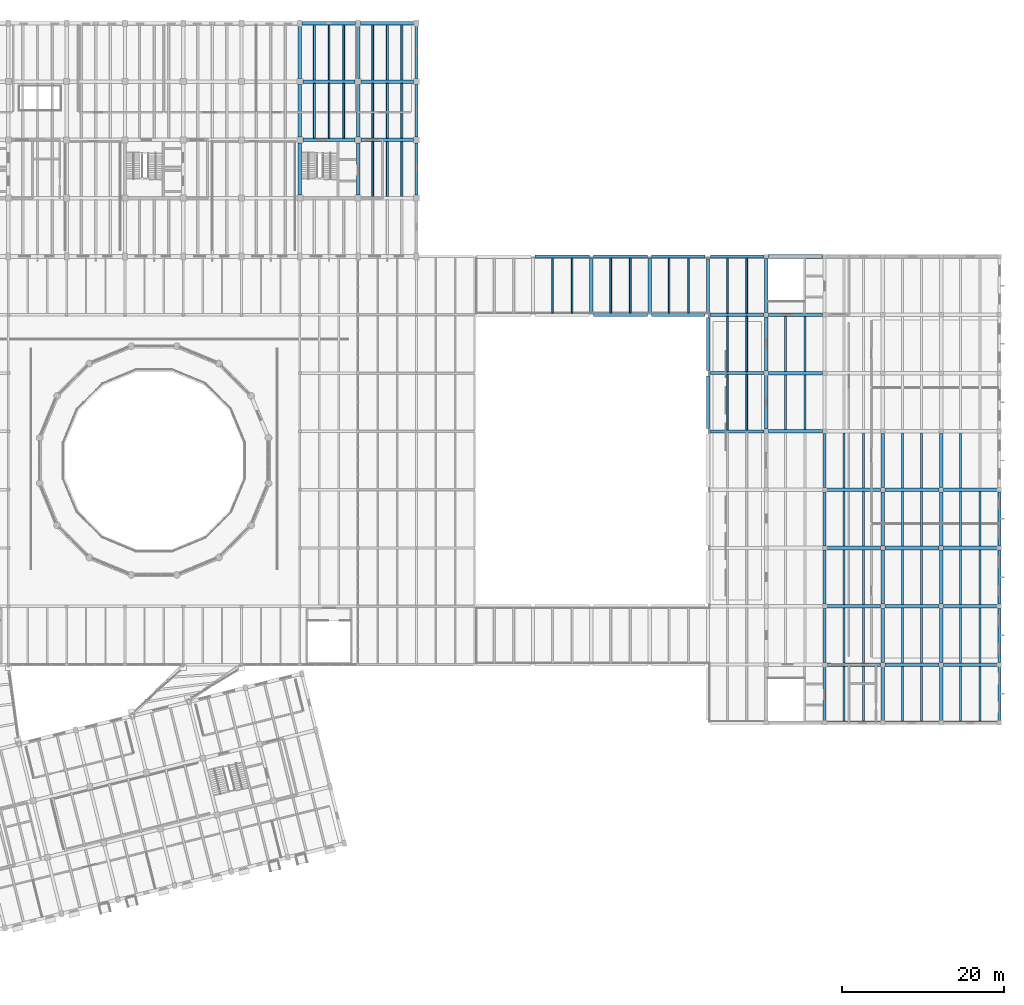
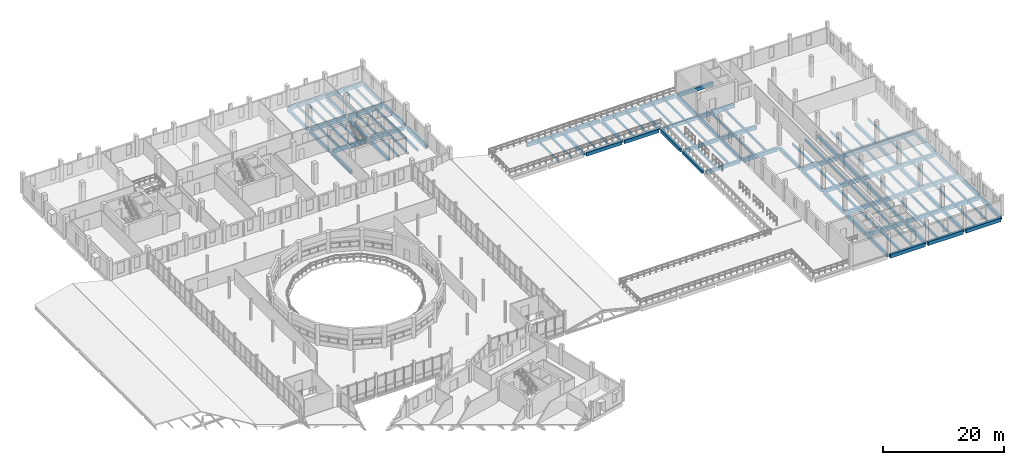
# One storey, part 36 of 63: 130 beams.
"""IFC4 building model written with IfcOpenShell, lengths in metres."""

from ifc_helpers import new_model, si_unit, direction, frame, origin, origin_2d, place, context, subcontext, project, spatial, rectangle, extrude, material, material_profile, profile_set, type_object, element, save


model = new_model("IFC4")

# Units and contexts
model_context = context("Model", 3, precision=1e-05, world=origin(), true_north=direction((0.0, 1.0)))
body_context = subcontext(model_context, "Body", "Model", "MODEL_VIEW")
ifc_project = project(units=[si_unit("LENGTHUNIT", "METRE"), si_unit("AREAUNIT", "SQUARE_METRE"), si_unit("VOLUMEUNIT", "CUBIC_METRE"), si_unit("PLANEANGLEUNIT", "RADIAN"), si_unit("MASSUNIT", "GRAM", prefix="KILO")], contexts=[model_context])

# Site, building, storey
site_placement = place(None, origin())
site = spatial("IfcSite", under=ifc_project, at=site_placement, CompositionType="ELEMENT")
building_placement = place(site_placement, origin())
building = spatial("IfcBuilding", under=site, at=building_placement, Name="Qiaolan Assembly House", CompositionType="ELEMENT")
storey_placement = place(building_placement, frame((0.0, 0.0, 14.39990234375)))
storey = spatial("IfcBuildingStorey", under=building, at=storey_placement, Name="L03", CompositionType="ELEMENT", Elevation=14.39990234375)

# Beams
ifc_material = material(Name="Concrete C40/50", Category="concrete")
ifc_material_profile_1 = material_profile(ifc_material, rectangle(XDim=0.39990234375, YDim=0.64990234375, at=origin_2d()), Name="RCB 400x650")
ifc_profile_set_1 = profile_set([ifc_material_profile_1], Name="Concrete C40/50")
beam_type_1 = type_object("IfcBeamType", Name="BM-RC-400x650", PredefinedType="BEAM", material=ifc_profile_set_1)
for number, where, z_axis, x_axis, name in (
    (1, (136.800048828125, 65.139892578125, -0.635009765625), (0.0, 1.0, 0.0), (-1.0, 0.0, 0.0), "GB-06 beam BMY-LBRG-L03-00-05"),
    (2, (136.800048828125, 72.340087890625, -0.635009765625), (0.0, 1.0, 0.0), (-1.0, 0.0, 0.0), "GB-06 beam BMY-LBRG-L03-00-06"),
    (3, (136.800048828125, 79.5400390625, -0.635009765625), (0.0, 1.0, 0.0), (-1.0, 0.0, 0.0), "GB-06 beam BMY-LBRG-L03-00-07"),
):
    element("IfcBeam", number, at=place(storey_placement, frame(where, z_axis=z_axis, x_axis=x_axis)), inside=storey, type_object=beam_type_1, Name=name, PredefinedType="BEAM", context=body_context, shape_type="SweptSolid", body=[
        extrude(rectangle(XDim=0.39990234375, YDim=0.64990234375, at=origin_2d()), origin(), (0.0, 0.0, 1.0), 6.52001953125),
    ])
for number, where, z_axis, x_axis, name in (
    (4, (122.39990234375, 79.449951171875, -0.635009765625), (0.0, 1.0, 0.0), (-1.0, 0.0, 0.0), "GB-06 beam BMY-CLNR-L03-02-00"),
    (5, (129.60009765625, 79.449951171875, -0.635009765625), (0.0, 1.0, 0.0), (-1.0, 0.0, 0.0), "GB-06 beam BMY-CLNR-L03-03-00"),
):
    element("IfcBeam", number, at=place(storey_placement, frame(where, z_axis=z_axis, x_axis=x_axis)), inside=storey, type_object=beam_type_1, Name=name, PredefinedType="BEAM", context=body_context, shape_type="SweptSolid", body=[
        extrude(rectangle(XDim=0.39990234375, YDim=0.64990234375, at=origin_2d()), origin(), (0.0, 0.0, 1.0), 6.699951171875),
    ])
ifc_material_profile_2 = material_profile(ifc_material, rectangle(XDim=0.39990234375, YDim=0.699951171875, at=origin_2d()), Name="RCB 400x700")
ifc_profile_set_2 = profile_set([ifc_material_profile_2], Name="Concrete C40/50")
beam_type_2 = type_object("IfcBeamType", Name="BM-RC-400x700", PredefinedType="BEAM", material=ifc_profile_set_2)
for number, where, z_axis, x_axis, name in (
    (6, (86.39990234375, 93.965087890625, -0.579833984375), (0.0, 1.0, 0.0), (-1.0, 0.0, 0.0), "GB-05 beam BMY-NW-L03-07-01"),
    (7, (86.39990234375, 101.1650390625, -0.579833984375), (0.0, 1.0, 0.0), (-1.0, 0.0, 0.0), "GB-05 beam BMY-NW-L03-07-02"),
):
    element("IfcBeam", number, at=place(storey_placement, frame(where, z_axis=z_axis, x_axis=x_axis)), inside=storey, type_object=beam_type_2, Name=name, PredefinedType="BEAM", context=body_context, shape_type="SweptSolid", body=[
        extrude(rectangle(XDim=0.39990234375, YDim=0.699951171875, at=origin_2d()), origin(), (0.0, 0.0, 1.0), 6.469970703125),
    ])
beam_1_placement = place(storey_placement, frame((86.39990234375, 108.364990234375, -0.579833984375), z_axis=(0.0, 1.0, 0.0), x_axis=(-1.0, 0.0, 0.0)))
element("IfcBeam", 8, at=beam_1_placement, inside=storey, type_object=beam_type_2, Name="GB-05 beam BMY-NW-L03-07-03", PredefinedType="BEAM", context=body_context, shape_type="SweptSolid", body=[
    extrude(rectangle(XDim=0.39990234375, YDim=0.699951171875, at=origin_2d()), origin(), (0.0, 0.0, 1.0), 6.570068359375),
])
for number, where, z_axis, x_axis, name in (
    (9, (93.60009765625, 93.965087890625, -0.579833984375), (0.0, 1.0, 0.0), (-1.0, 0.0, 0.0), "GB-05 beam BMY-NW-L03-08-01"),
    (10, (93.60009765625, 101.1650390625, -0.579833984375), (0.0, 1.0, 0.0), (-1.0, 0.0, 0.0), "GB-05 beam BMY-NW-L03-08-02"),
):
    element("IfcBeam", number, at=place(storey_placement, frame(where, z_axis=z_axis, x_axis=x_axis)), inside=storey, type_object=beam_type_2, Name=name, PredefinedType="BEAM", context=body_context, shape_type="SweptSolid", body=[
        extrude(rectangle(XDim=0.39990234375, YDim=0.699951171875, at=origin_2d()), origin(), (0.0, 0.0, 1.0), 6.469970703125),
    ])
beam_2_placement = place(storey_placement, frame((93.60009765625, 108.364990234375, -0.579833984375), z_axis=(0.0, 1.0, 0.0), x_axis=(-1.0, 0.0, 0.0)))
element("IfcBeam", 11, at=beam_2_placement, inside=storey, type_object=beam_type_2, Name="GB-05 beam BMY-NW-L03-08-03", PredefinedType="BEAM", context=body_context, shape_type="SweptSolid", body=[
    extrude(rectangle(XDim=0.39990234375, YDim=0.699951171875, at=origin_2d()), origin(), (0.0, 0.0, 1.0), 6.570068359375),
])
for number, where, z_axis, x_axis, name in (
    (12, (100.800048828125, 93.965087890625, -0.579833984375), (0.0, 1.0, 0.0), (-1.0, 0.0, 0.0), "GB-05 beam BMY-NW-L03-09-01"),
    (13, (100.800048828125, 101.1650390625, -0.579833984375), (0.0, 1.0, 0.0), (-1.0, 0.0, 0.0), "GB-05 beam BMY-NW-L03-09-02"),
):
    element("IfcBeam", number, at=place(storey_placement, frame(where, z_axis=z_axis, x_axis=x_axis)), inside=storey, type_object=beam_type_2, Name=name, PredefinedType="BEAM", context=body_context, shape_type="SweptSolid", body=[
        extrude(rectangle(XDim=0.39990234375, YDim=0.699951171875, at=origin_2d()), origin(), (0.0, 0.0, 1.0), 6.469970703125),
    ])
beam_3_placement = place(storey_placement, frame((100.800048828125, 108.364990234375, -0.579833984375), z_axis=(0.0, 1.0, 0.0), x_axis=(-1.0, 0.0, 0.0)))
element("IfcBeam", 14, at=beam_3_placement, inside=storey, type_object=beam_type_2, Name="GB-05 beam BMY-NW-L03-09-03", PredefinedType="BEAM", context=body_context, shape_type="SweptSolid", body=[
    extrude(rectangle(XDim=0.39990234375, YDim=0.699951171875, at=origin_2d()), origin(), (0.0, 0.0, 1.0), 6.570068359375),
])
for number, where, z_axis, x_axis, name in (
    (15, (144.0, 65.06494140625, -0.659912109375), (0.0, 1.0, 0.0), (-1.0, 0.0, 0.0), "GB-05 beam BMY-LB-L03-00-05"),
    (16, (144.0, 72.264892578125, -0.659912109375), (0.0, 1.0, 0.0), (-1.0, 0.0, 0.0), "GB-05 beam BMY-LB-L03-00-06"),
):
    element("IfcBeam", number, at=place(storey_placement, frame(where, z_axis=z_axis, x_axis=x_axis)), inside=storey, type_object=beam_type_2, Name=name, PredefinedType="BEAM", context=body_context, shape_type="SweptSolid", body=[
        extrude(rectangle(XDim=0.39990234375, YDim=0.699951171875, at=origin_2d()), origin(), (0.0, 0.0, 1.0), 6.670166015625),
    ])
beam_4_placement = place(storey_placement, frame((144.0, 79.465087890625, -0.659912109375), z_axis=(0.0, 1.0, 0.0), x_axis=(-1.0, 0.0, 0.0)))
element("IfcBeam", 17, at=beam_4_placement, inside=storey, type_object=beam_type_2, Name="GB-05 beam BMY-LB-L03-00-07", PredefinedType="BEAM", context=body_context, shape_type="SweptSolid", body=[
    extrude(rectangle(XDim=0.39990234375, YDim=0.699951171875, at=origin_2d()), origin(), (0.0, 0.0, 1.0), 6.669921875),
])
for number, where, z_axis, x_axis, name in (
    (18, (151.199951171875, 29.06494140625, -0.659912109375), (0.0, 1.0, 0.0), (-1.0, 0.0, 0.0), "GB-05 beam BMY-LB-L03-01-00"),
    (19, (151.199951171875, 36.264892578125, -0.659912109375), (0.0, 1.0, 0.0), (-1.0, 0.0, 0.0), "GB-05 beam BMY-LB-L03-01-01"),
):
    element("IfcBeam", number, at=place(storey_placement, frame(where, z_axis=z_axis, x_axis=x_axis)), inside=storey, type_object=beam_type_2, Name=name, PredefinedType="BEAM", context=body_context, shape_type="SweptSolid", body=[
        extrude(rectangle(XDim=0.39990234375, YDim=0.699951171875, at=origin_2d()), origin(), (0.0, 0.0, 1.0), 6.670166015625),
    ])
for number, where, z_axis, x_axis, name in (
    (20, (151.199951171875, 43.465087890625, -0.659912109375), (0.0, 1.0, 0.0), (-1.0, 0.0, 0.0), "GB-05 beam BMY-LB-L03-01-02"),
    (21, (151.199951171875, 50.6650390625, -0.659912109375), (0.0, 1.0, 0.0), (-1.0, 0.0, 0.0), "GB-05 beam BMY-LB-L03-01-03"),
    (22, (151.199951171875, 57.864990234375, -0.659912109375), (0.0, 1.0, 0.0), (-1.0, 0.0, 0.0), "GB-05 beam BMY-LB-L03-01-04"),
):
    element("IfcBeam", number, at=place(storey_placement, frame(where, z_axis=z_axis, x_axis=x_axis)), inside=storey, type_object=beam_type_2, Name=name, PredefinedType="BEAM", context=body_context, shape_type="SweptSolid", body=[
        extrude(rectangle(XDim=0.39990234375, YDim=0.699951171875, at=origin_2d()), origin(), (0.0, 0.0, 1.0), 6.669921875),
    ])
for number, where, z_axis, x_axis, name in (
    (23, (158.39990234375, 29.06494140625, -0.659912109375), (0.0, 1.0, 0.0), (-1.0, 0.0, 0.0), "GB-05 beam BMY-LB-L03-02-00"),
    (24, (158.39990234375, 36.264892578125, -0.659912109375), (0.0, 1.0, 0.0), (-1.0, 0.0, 0.0), "GB-05 beam BMY-LB-L03-02-01"),
):
    element("IfcBeam", number, at=place(storey_placement, frame(where, z_axis=z_axis, x_axis=x_axis)), inside=storey, type_object=beam_type_2, Name=name, PredefinedType="BEAM", context=body_context, shape_type="SweptSolid", body=[
        extrude(rectangle(XDim=0.39990234375, YDim=0.699951171875, at=origin_2d()), origin(), (0.0, 0.0, 1.0), 6.670166015625),
    ])
for number, where, z_axis, x_axis, name in (
    (25, (158.39990234375, 43.465087890625, -0.659912109375), (0.0, 1.0, 0.0), (-1.0, 0.0, 0.0), "GB-05 beam BMY-LB-L03-02-02"),
    (26, (158.39990234375, 50.6650390625, -0.659912109375), (0.0, 1.0, 0.0), (-1.0, 0.0, 0.0), "GB-05 beam BMY-LB-L03-02-03"),
    (27, (158.39990234375, 57.864990234375, -0.659912109375), (0.0, 1.0, 0.0), (-1.0, 0.0, 0.0), "GB-05 beam BMY-LB-L03-02-04"),
):
    element("IfcBeam", number, at=place(storey_placement, frame(where, z_axis=z_axis, x_axis=x_axis)), inside=storey, type_object=beam_type_2, Name=name, PredefinedType="BEAM", context=body_context, shape_type="SweptSolid", body=[
        extrude(rectangle(XDim=0.39990234375, YDim=0.699951171875, at=origin_2d()), origin(), (0.0, 0.0, 1.0), 6.669921875),
    ])
for number, where, z_axis, x_axis, name in (
    (28, (165.60009765625, 29.06494140625, -0.659912109375), (0.0, 1.0, 0.0), (-1.0, 0.0, 0.0), "GB-05 beam BMY-LB-L03-03-00"),
    (29, (165.60009765625, 36.264892578125, -0.659912109375), (0.0, 1.0, 0.0), (-1.0, 0.0, 0.0), "GB-05 beam BMY-LB-L03-03-01"),
):
    element("IfcBeam", number, at=place(storey_placement, frame(where, z_axis=z_axis, x_axis=x_axis)), inside=storey, type_object=beam_type_2, Name=name, PredefinedType="BEAM", context=body_context, shape_type="SweptSolid", body=[
        extrude(rectangle(XDim=0.39990234375, YDim=0.699951171875, at=origin_2d()), origin(), (0.0, 0.0, 1.0), 6.670166015625),
    ])
for number, where, z_axis, x_axis, name in (
    (30, (165.60009765625, 43.465087890625, -0.659912109375), (0.0, 1.0, 0.0), (-1.0, 0.0, 0.0), "GB-05 beam BMY-LB-L03-03-02"),
    (31, (165.60009765625, 50.6650390625, -0.659912109375), (0.0, 1.0, 0.0), (-1.0, 0.0, 0.0), "GB-05 beam BMY-LB-L03-03-03"),
    (32, (165.60009765625, 57.864990234375, -0.659912109375), (0.0, 1.0, 0.0), (-1.0, 0.0, 0.0), "GB-05 beam BMY-LB-L03-03-04"),
):
    element("IfcBeam", number, at=place(storey_placement, frame(where, z_axis=z_axis, x_axis=x_axis)), inside=storey, type_object=beam_type_2, Name=name, PredefinedType="BEAM", context=body_context, shape_type="SweptSolid", body=[
        extrude(rectangle(XDim=0.39990234375, YDim=0.699951171875, at=origin_2d()), origin(), (0.0, 0.0, 1.0), 6.669921875),
    ])
for number, where, z_axis, x_axis, name in (
    (33, (172.800048828125, 29.06494140625, -0.659912109375), (0.0, 1.0, 0.0), (-1.0, 0.0, 0.0), "GB-05 beam BMY-LB-L03-04-00"),
    (34, (172.800048828125, 36.264892578125, -0.659912109375), (0.0, 1.0, 0.0), (-1.0, 0.0, 0.0), "GB-05 beam BMY-LB-L03-04-01"),
):
    element("IfcBeam", number, at=place(storey_placement, frame(where, z_axis=z_axis, x_axis=x_axis)), inside=storey, type_object=beam_type_2, Name=name, PredefinedType="BEAM", context=body_context, shape_type="SweptSolid", body=[
        extrude(rectangle(XDim=0.39990234375, YDim=0.699951171875, at=origin_2d()), origin(), (0.0, 0.0, 1.0), 6.670166015625),
    ])
for number, where, z_axis, x_axis, name in (
    (35, (172.800048828125, 43.465087890625, -0.659912109375), (0.0, 1.0, 0.0), (-1.0, 0.0, 0.0), "GB-05 beam BMY-LB-L03-04-02"),
    (36, (172.800048828125, 50.6650390625, -0.659912109375), (0.0, 1.0, 0.0), (-1.0, 0.0, 0.0), "GB-05 beam BMY-LB-L03-04-03"),
):
    element("IfcBeam", number, at=place(storey_placement, frame(where, z_axis=z_axis, x_axis=x_axis)), inside=storey, type_object=beam_type_2, Name=name, PredefinedType="BEAM", context=body_context, shape_type="SweptSolid", body=[
        extrude(rectangle(XDim=0.39990234375, YDim=0.699951171875, at=origin_2d()), origin(), (0.0, 0.0, 1.0), 6.669921875),
    ])
for number, where, z_axis, x_axis, name in (
    (37, (137.139892578125, 64.800048828125, -0.659912109375), (1.0, 0.0, 0.0), (0.0, 1.0, 0.0), "GB-05 beam BMX-LBRG-L03-00-05"),
    (38, (137.139892578125, 72.0, -0.659912109375), (1.0, 0.0, 0.0), (0.0, 1.0, 0.0), "GB-05 beam BMX-LBRG-L03-00-06"),
    (39, (137.139892578125, 79.199951171875, -0.659912109375), (1.0, 0.0, 0.0), (0.0, 1.0, 0.0), "GB-05 beam BMX-LBRG-L03-00-07"),
    (40, (137.139892578125, 86.39990234375, -0.659912109375), (1.0, 0.0, 0.0), (0.0, 1.0, 0.0), "GB-05 beam BMX-LBRG-L03-00-08"),
):
    element("IfcBeam", number, at=place(storey_placement, frame(where, z_axis=z_axis, x_axis=x_axis)), inside=storey, type_object=beam_type_2, Name=name, PredefinedType="BEAM", context=body_context, shape_type="SweptSolid", body=[
        extrude(rectangle(XDim=0.39990234375, YDim=0.699951171875, at=origin_2d()), origin(), (0.0, 0.0, 1.0), 6.59521484375),
    ])
beam_5_placement = place(storey_placement, frame((122.64990234375, 79.199951171875, -0.659912109375), z_axis=(1.0, 0.0, 0.0), x_axis=(0.0, 1.0, 0.0)))
element("IfcBeam", 41, at=beam_5_placement, inside=storey, type_object=beam_type_2, Name="GB-05 beam BMX-CLNR-L03-02-00", PredefinedType="BEAM", context=body_context, shape_type="SweptSolid", body=[
    extrude(rectangle(XDim=0.39990234375, YDim=0.699951171875, at=origin_2d()), origin(), (0.0, 0.0, 1.0), 6.7001953125),
])
beam_6_placement = place(storey_placement, frame((129.85009765625, 79.199951171875, -0.659912109375), z_axis=(1.0, 0.0, 0.0), x_axis=(0.0, 1.0, 0.0)))
element("IfcBeam", 42, at=beam_6_placement, inside=storey, type_object=beam_type_2, Name="GB-05 beam BMX-CLNR-L03-03-00", PredefinedType="BEAM", context=body_context, shape_type="SweptSolid", body=[
    extrude(rectangle(XDim=0.39990234375, YDim=0.699951171875, at=origin_2d()), origin(), (0.0, 0.0, 1.0), 6.60986328125),
])
beam_7_placement = place(storey_placement, frame((115.449951171875, 86.39990234375, -0.659912109375), z_axis=(1.0, 0.0, 0.0), x_axis=(0.0, 1.0, 0.0)))
element("IfcBeam", 43, at=beam_7_placement, inside=storey, type_object=beam_type_2, Name="GB-05 beam BMX-CLNR-L03-01-01", PredefinedType="BEAM", context=body_context, shape_type="SweptSolid", body=[
    extrude(rectangle(XDim=0.39990234375, YDim=0.699951171875, at=origin_2d()), origin(), (0.0, 0.0, 1.0), 6.699951171875),
])
beam_8_placement = place(storey_placement, frame((122.64990234375, 86.39990234375, -0.659912109375), z_axis=(1.0, 0.0, 0.0), x_axis=(0.0, 1.0, 0.0)))
element("IfcBeam", 44, at=beam_8_placement, inside=storey, type_object=beam_type_2, Name="GB-05 beam BMX-CLNR-L03-02-01", PredefinedType="BEAM", context=body_context, shape_type="SweptSolid", body=[
    extrude(rectangle(XDim=0.39990234375, YDim=0.699951171875, at=origin_2d()), origin(), (0.0, 0.0, 1.0), 6.7001953125),
])
beam_9_placement = place(storey_placement, frame((129.85009765625, 86.39990234375, -0.659912109375), z_axis=(1.0, 0.0, 0.0), x_axis=(0.0, 1.0, 0.0)))
element("IfcBeam", 45, at=beam_9_placement, inside=storey, type_object=beam_type_2, Name="GB-05 beam BMX-CLNR-L03-03-01", PredefinedType="BEAM", context=body_context, shape_type="SweptSolid", body=[
    extrude(rectangle(XDim=0.39990234375, YDim=0.699951171875, at=origin_2d()), origin(), (0.0, 0.0, 1.0), 6.60986328125),
])
ifc_material_profile_3 = material_profile(ifc_material, rectangle(XDim=0.449951171875, YDim=0.75, at=origin_2d()), Name="RCB 450x750")
ifc_profile_set_3 = profile_set([ifc_material_profile_3], Name="Concrete C40/50")
beam_type_3 = type_object("IfcBeamType", Name="BM-RC-450x750", PredefinedType="BEAM", material=ifc_profile_set_3)
beam_10_placement = place(storey_placement, frame((86.764892578125, 100.800048828125, -0.60498046875), z_axis=(1.0, 0.0, 0.0), x_axis=(0.0, 1.0, 0.0)))
element("IfcBeam", 46, at=beam_10_placement, inside=storey, type_object=beam_type_3, Name="GB-04 beam BMX-NW-L03-07-02", PredefinedType="BEAM", context=body_context, shape_type="SweptSolid", body=[
    extrude(rectangle(XDim=0.449951171875, YDim=0.75, at=origin_2d()), origin(), (0.0, 0.0, 1.0), 6.47021484375),
])
beam_11_placement = place(storey_placement, frame((93.965087890625, 100.800048828125, -0.60498046875), z_axis=(1.0, 0.0, 0.0), x_axis=(0.0, 1.0, 0.0)))
element("IfcBeam", 47, at=beam_11_placement, inside=storey, type_object=beam_type_3, Name="GB-04 beam BMX-NW-L03-08-02", PredefinedType="BEAM", context=body_context, shape_type="SweptSolid", body=[
    extrude(rectangle(XDim=0.449951171875, YDim=0.75, at=origin_2d()), origin(), (0.0, 0.0, 1.0), 6.469970703125),
])
beam_12_placement = place(storey_placement, frame((86.764892578125, 108.0, -0.60498046875), z_axis=(1.0, 0.0, 0.0), x_axis=(0.0, 1.0, 0.0)))
element("IfcBeam", 48, at=beam_12_placement, inside=storey, type_object=beam_type_3, Name="GB-04 beam BMX-NW-L03-07-03", PredefinedType="BEAM", context=body_context, shape_type="SweptSolid", body=[
    extrude(rectangle(XDim=0.449951171875, YDim=0.75, at=origin_2d()), origin(), (0.0, 0.0, 1.0), 6.47021484375),
])
beam_13_placement = place(storey_placement, frame((93.965087890625, 108.0, -0.60498046875), z_axis=(1.0, 0.0, 0.0), x_axis=(0.0, 1.0, 0.0)))
element("IfcBeam", 49, at=beam_13_placement, inside=storey, type_object=beam_type_3, Name="GB-04 beam BMX-NW-L03-08-03", PredefinedType="BEAM", context=body_context, shape_type="SweptSolid", body=[
    extrude(rectangle(XDim=0.449951171875, YDim=0.75, at=origin_2d()), origin(), (0.0, 0.0, 1.0), 6.469970703125),
])
for number, where, z_axis, x_axis, name in (
    (50, (86.6650390625, 115.199951171875, -0.60498046875), (1.0, 0.0, 0.0), (0.0, 1.0, 0.0), "GB-04 beam BMX-NW-L03-07-04"),
    (51, (93.864990234375, 115.199951171875, -0.60498046875), (1.0, 0.0, 0.0), (0.0, 1.0, 0.0), "GB-04 beam BMX-NW-L03-08-04"),
    (52, (151.465087890625, 28.800048828125, -0.684814453125), (1.0, 0.0, 0.0), (0.0, 1.0, 0.0), "GB-04 beam BMX-LB-L03-01-00"),
    (53, (158.6650390625, 28.800048828125, -0.684814453125), (1.0, 0.0, 0.0), (0.0, 1.0, 0.0), "GB-04 beam BMX-LB-L03-02-00"),
    (54, (165.864990234375, 28.800048828125, -0.684814453125), (1.0, 0.0, 0.0), (0.0, 1.0, 0.0), "GB-04 beam BMX-LB-L03-03-00"),
    (55, (151.465087890625, 36.0, -0.684814453125), (1.0, 0.0, 0.0), (0.0, 1.0, 0.0), "GB-04 beam BMX-LB-L03-01-01"),
    (56, (158.6650390625, 36.0, -0.684814453125), (1.0, 0.0, 0.0), (0.0, 1.0, 0.0), "GB-04 beam BMX-LB-L03-02-01"),
    (57, (165.864990234375, 36.0, -0.684814453125), (1.0, 0.0, 0.0), (0.0, 1.0, 0.0), "GB-04 beam BMX-LB-L03-03-01"),
    (58, (151.465087890625, 43.199951171875, -0.684814453125), (1.0, 0.0, 0.0), (0.0, 1.0, 0.0), "GB-04 beam BMX-LB-L03-01-02"),
    (59, (158.6650390625, 43.199951171875, -0.684814453125), (1.0, 0.0, 0.0), (0.0, 1.0, 0.0), "GB-04 beam BMX-LB-L03-02-02"),
    (60, (165.864990234375, 43.199951171875, -0.684814453125), (1.0, 0.0, 0.0), (0.0, 1.0, 0.0), "GB-04 beam BMX-LB-L03-03-02"),
    (61, (151.465087890625, 50.39990234375, -0.684814453125), (1.0, 0.0, 0.0), (0.0, 1.0, 0.0), "GB-04 beam BMX-LB-L03-01-03"),
    (62, (158.6650390625, 50.39990234375, -0.684814453125), (1.0, 0.0, 0.0), (0.0, 1.0, 0.0), "GB-04 beam BMX-LB-L03-02-03"),
    (63, (165.864990234375, 50.39990234375, -0.684814453125), (1.0, 0.0, 0.0), (0.0, 1.0, 0.0), "GB-04 beam BMX-LB-L03-03-03"),
    (64, (151.465087890625, 57.60009765625, -0.684814453125), (1.0, 0.0, 0.0), (0.0, 1.0, 0.0), "GB-04 beam BMX-LB-L03-01-04"),
    (65, (158.6650390625, 57.60009765625, -0.684814453125), (1.0, 0.0, 0.0), (0.0, 1.0, 0.0), "GB-04 beam BMX-LB-L03-02-04"),
    (66, (165.864990234375, 57.60009765625, -0.684814453125), (1.0, 0.0, 0.0), (0.0, 1.0, 0.0), "GB-04 beam BMX-LB-L03-03-04"),
):
    element("IfcBeam", number, at=place(storey_placement, frame(where, z_axis=z_axis, x_axis=x_axis)), inside=storey, type_object=beam_type_3, Name=name, PredefinedType="BEAM", context=body_context, shape_type="SweptSolid", body=[
        extrude(rectangle(XDim=0.449951171875, YDim=0.75, at=origin_2d()), origin(), (0.0, 0.0, 1.0), 6.669921875),
    ])
for number, where, z_axis, x_axis, name in (
    (67, (144.264892578125, 64.800048828125, -0.684814453125), (1.0, 0.0, 0.0), (0.0, 1.0, 0.0), "GB-04 beam BMX-LB-L03-00-05"),
    (68, (144.264892578125, 72.0, -0.684814453125), (1.0, 0.0, 0.0), (0.0, 1.0, 0.0), "GB-04 beam BMX-LB-L03-00-06"),
    (69, (144.264892578125, 79.199951171875, -0.684814453125), (1.0, 0.0, 0.0), (0.0, 1.0, 0.0), "GB-04 beam BMX-LB-L03-00-07"),
    (70, (144.264892578125, 86.39990234375, -0.684814453125), (1.0, 0.0, 0.0), (0.0, 1.0, 0.0), "GB-04 beam BMX-LB-L03-00-08"),
):
    element("IfcBeam", number, at=place(storey_placement, frame(where, z_axis=z_axis, x_axis=x_axis)), inside=storey, type_object=beam_type_3, Name=name, PredefinedType="BEAM", context=body_context, shape_type="SweptSolid", body=[
        extrude(rectangle(XDim=0.449951171875, YDim=0.75, at=origin_2d()), origin(), (0.0, 0.0, 1.0), 6.670166015625),
    ])
ifc_material_profile_4 = material_profile(ifc_material, rectangle(XDim=0.219970703125, YDim=0.419921875, at=origin_2d()), Name="RCB 220x420")
ifc_profile_set_4 = profile_set([ifc_material_profile_4], Name="Concrete C40/50")
beam_type_4 = type_object("IfcBeamType", Name="JST-RC-220x420", PredefinedType="JOIST", material=ifc_profile_set_4)
for number, where, z_axis, x_axis, name in (
    (71, (139.199951171875, 64.993896484375, -0.52001953125), (0.0, 1.0, 0.0), (-1.0, 0.0, 0.0), "RJ-03 beam JST-LBRG-L03-00-05-1"),
    (72, (141.60009765625, 64.993896484375, -0.52001953125), (0.0, 1.0, 0.0), (-1.0, 0.0, 0.0), "RJ-03 beam JST-LBRG-L03-00-05-2"),
    (73, (139.199951171875, 72.194091796875, -0.52001953125), (0.0, 1.0, 0.0), (-1.0, 0.0, 0.0), "RJ-03 beam JST-LBRG-L03-00-06-1"),
    (74, (141.60009765625, 72.194091796875, -0.52001953125), (0.0, 1.0, 0.0), (-1.0, 0.0, 0.0), "RJ-03 beam JST-LBRG-L03-00-06-2"),
    (75, (139.199951171875, 79.39404296875, -0.52001953125), (0.0, 1.0, 0.0), (-1.0, 0.0, 0.0), "RJ-03 beam JST-LBRG-L03-00-07-1"),
    (76, (141.60009765625, 79.39404296875, -0.52001953125), (0.0, 1.0, 0.0), (-1.0, 0.0, 0.0), "RJ-03 beam JST-LBRG-L03-00-07-2"),
    (77, (117.60009765625, 79.39404296875, -0.52001953125), (0.0, 1.0, 0.0), (-1.0, 0.0, 0.0), "RJ-03 beam JST-CLNR-L03-01-00-1"),
    (78, (120.0, 79.39404296875, -0.52001953125), (0.0, 1.0, 0.0), (-1.0, 0.0, 0.0), "RJ-03 beam JST-CLNR-L03-01-00-2"),
    (79, (124.800048828125, 79.39404296875, -0.52001953125), (0.0, 1.0, 0.0), (-1.0, 0.0, 0.0), "RJ-03 beam JST-CLNR-L03-02-00-1"),
    (80, (127.199951171875, 79.39404296875, -0.52001953125), (0.0, 1.0, 0.0), (-1.0, 0.0, 0.0), "RJ-03 beam JST-CLNR-L03-02-00-2"),
    (81, (132.0, 79.39404296875, -0.52001953125), (0.0, 1.0, 0.0), (-1.0, 0.0, 0.0), "RJ-03 beam JST-CLNR-L03-03-00-1"),
    (82, (134.39990234375, 79.39404296875, -0.52001953125), (0.0, 1.0, 0.0), (-1.0, 0.0, 0.0), "RJ-03 beam JST-CLNR-L03-03-00-2"),
):
    element("IfcBeam", number, at=place(storey_placement, frame(where, z_axis=z_axis, x_axis=x_axis)), inside=storey, type_object=beam_type_4, Name=name, PredefinedType="JOIST", context=body_context, shape_type="SweptSolid", body=[
        extrude(rectangle(XDim=0.219970703125, YDim=0.419921875, at=origin_2d()), origin(), (0.0, 0.0, 1.0), 6.81201171875),
    ])
ifc_material_profile_5 = material_profile(ifc_material, rectangle(XDim=0.239990234375, YDim=0.47998046875, at=origin_2d()), Name="RCB 240x480")
ifc_profile_set_5 = profile_set([ifc_material_profile_5], Name="Concrete C40/50")
beam_type_5 = type_object("IfcBeamType", Name="JST-RC-240x480", PredefinedType="JOIST", material=ifc_profile_set_5)
for number, where, z_axis, x_axis, name in (
    (83, (88.199951171875, 101.01904296875, -0.469970703125), (0.0, 1.0, 0.0), (-1.0, 0.0, 0.0), "RJ-05 beam JST-NW-L03-07-02-1"),
    (84, (90.0, 101.01904296875, -0.469970703125), (0.0, 1.0, 0.0), (-1.0, 0.0, 0.0), "RJ-05 beam JST-NW-L03-07-02-2"),
    (85, (91.800048828125, 101.01904296875, -0.469970703125), (0.0, 1.0, 0.0), (-1.0, 0.0, 0.0), "RJ-05 beam JST-NW-L03-07-02-3"),
    (86, (88.199951171875, 108.218994140625, -0.469970703125), (0.0, 1.0, 0.0), (-1.0, 0.0, 0.0), "RJ-05 beam JST-NW-L03-07-03-1"),
    (87, (90.0, 108.218994140625, -0.469970703125), (0.0, 1.0, 0.0), (-1.0, 0.0, 0.0), "RJ-05 beam JST-NW-L03-07-03-2"),
    (88, (91.800048828125, 108.218994140625, -0.469970703125), (0.0, 1.0, 0.0), (-1.0, 0.0, 0.0), "RJ-05 beam JST-NW-L03-07-03-3"),
    (89, (95.39990234375, 93.819091796875, -0.469970703125), (0.0, 1.0, 0.0), (-1.0, 0.0, 0.0), "RJ-05 beam JST-NW-L03-08-01-1"),
    (90, (97.199951171875, 93.819091796875, -0.469970703125), (0.0, 1.0, 0.0), (-1.0, 0.0, 0.0), "RJ-05 beam JST-NW-L03-08-01-2"),
    (91, (99.0, 93.819091796875, -0.469970703125), (0.0, 1.0, 0.0), (-1.0, 0.0, 0.0), "RJ-05 beam JST-NW-L03-08-01-3"),
    (92, (95.39990234375, 101.01904296875, -0.469970703125), (0.0, 1.0, 0.0), (-1.0, 0.0, 0.0), "RJ-05 beam JST-NW-L03-08-02-1"),
    (93, (97.199951171875, 101.01904296875, -0.469970703125), (0.0, 1.0, 0.0), (-1.0, 0.0, 0.0), "RJ-05 beam JST-NW-L03-08-02-2"),
    (94, (99.0, 101.01904296875, -0.469970703125), (0.0, 1.0, 0.0), (-1.0, 0.0, 0.0), "RJ-05 beam JST-NW-L03-08-02-3"),
    (95, (95.39990234375, 108.218994140625, -0.469970703125), (0.0, 1.0, 0.0), (-1.0, 0.0, 0.0), "RJ-05 beam JST-NW-L03-08-03-1"),
    (96, (97.199951171875, 108.218994140625, -0.469970703125), (0.0, 1.0, 0.0), (-1.0, 0.0, 0.0), "RJ-05 beam JST-NW-L03-08-03-2"),
    (97, (99.0, 108.218994140625, -0.469970703125), (0.0, 1.0, 0.0), (-1.0, 0.0, 0.0), "RJ-05 beam JST-NW-L03-08-03-3"),
):
    element("IfcBeam", number, at=place(storey_placement, frame(where, z_axis=z_axis, x_axis=x_axis)), inside=storey, type_object=beam_type_5, Name=name, PredefinedType="JOIST", context=body_context, shape_type="SweptSolid", body=[
        extrude(rectangle(XDim=0.239990234375, YDim=0.47998046875, at=origin_2d()), origin(), (0.0, 0.0, 1.0), 6.761962890625),
    ])
ifc_material_profile_6 = material_profile(ifc_material, rectangle(XDim=0.25, YDim=0.449951171875, at=origin_2d()), Name="RCB 250x450")
ifc_profile_set_6 = profile_set([ifc_material_profile_6], Name="Concrete C40/50")
beam_type_6 = type_object("IfcBeamType", Name="JST-RC-250x450", PredefinedType="JOIST", material=ifc_profile_set_6)
for number, where, z_axis, x_axis, name in (
    (98, (146.39990234375, 65.01904296875, -0.534912109375), (0.0, 1.0, 0.0), (-1.0, 0.0, 0.0), "RJ-02 beam JST-LB-L03-00-05-1"),
    (99, (148.800048828125, 65.01904296875, -0.534912109375), (0.0, 1.0, 0.0), (-1.0, 0.0, 0.0), "RJ-02 beam JST-LB-L03-00-05-2"),
    (100, (146.39990234375, 72.218994140625, -0.534912109375), (0.0, 1.0, 0.0), (-1.0, 0.0, 0.0), "RJ-02 beam JST-LB-L03-00-06-1"),
    (101, (148.800048828125, 72.218994140625, -0.534912109375), (0.0, 1.0, 0.0), (-1.0, 0.0, 0.0), "RJ-02 beam JST-LB-L03-00-06-2"),
    (102, (153.60009765625, 29.01904296875, -0.534912109375), (0.0, 1.0, 0.0), (-1.0, 0.0, 0.0), "RJ-02 beam JST-LB-L03-01-00-1"),
    (103, (156.0, 29.01904296875, -0.534912109375), (0.0, 1.0, 0.0), (-1.0, 0.0, 0.0), "RJ-02 beam JST-LB-L03-01-00-2"),
    (104, (153.60009765625, 36.218994140625, -0.534912109375), (0.0, 1.0, 0.0), (-1.0, 0.0, 0.0), "RJ-02 beam JST-LB-L03-01-01-1"),
    (105, (156.0, 36.218994140625, -0.534912109375), (0.0, 1.0, 0.0), (-1.0, 0.0, 0.0), "RJ-02 beam JST-LB-L03-01-01-2"),
    (106, (153.60009765625, 43.4189453125, -0.534912109375), (0.0, 1.0, 0.0), (-1.0, 0.0, 0.0), "RJ-02 beam JST-LB-L03-01-02-1"),
    (107, (156.0, 43.4189453125, -0.534912109375), (0.0, 1.0, 0.0), (-1.0, 0.0, 0.0), "RJ-02 beam JST-LB-L03-01-02-2"),
):
    element("IfcBeam", number, at=place(storey_placement, frame(where, z_axis=z_axis, x_axis=x_axis)), inside=storey, type_object=beam_type_6, Name=name, PredefinedType="JOIST", context=body_context, shape_type="SweptSolid", body=[
        extrude(rectangle(XDim=0.25, YDim=0.449951171875, at=origin_2d()), origin(), (0.0, 0.0, 1.0), 6.761962890625),
    ])
for number, where, z_axis, x_axis, name in (
    (108, (153.60009765625, 50.618896484375, -0.534912109375), (0.0, 1.0, 0.0), (-1.0, 0.0, 0.0), "RJ-02 beam JST-LB-L03-01-03-1"),
    (109, (156.0, 50.618896484375, -0.534912109375), (0.0, 1.0, 0.0), (-1.0, 0.0, 0.0), "RJ-02 beam JST-LB-L03-01-03-2"),
):
    element("IfcBeam", number, at=place(storey_placement, frame(where, z_axis=z_axis, x_axis=x_axis)), inside=storey, type_object=beam_type_6, Name=name, PredefinedType="JOIST", context=body_context, shape_type="SweptSolid", body=[
        extrude(rectangle(XDim=0.25, YDim=0.449951171875, at=origin_2d()), origin(), (0.0, 0.0, 1.0), 6.76220703125),
    ])
for number, where, z_axis, x_axis, name in (
    (110, (153.60009765625, 57.819091796875, -0.534912109375), (0.0, 1.0, 0.0), (-1.0, 0.0, 0.0), "RJ-02 beam JST-LB-L03-01-04-1"),
    (111, (156.0, 57.819091796875, -0.534912109375), (0.0, 1.0, 0.0), (-1.0, 0.0, 0.0), "RJ-02 beam JST-LB-L03-01-04-2"),
    (112, (160.800048828125, 29.01904296875, -0.534912109375), (0.0, 1.0, 0.0), (-1.0, 0.0, 0.0), "RJ-02 beam JST-LB-L03-02-00-1"),
    (113, (163.199951171875, 29.01904296875, -0.534912109375), (0.0, 1.0, 0.0), (-1.0, 0.0, 0.0), "RJ-02 beam JST-LB-L03-02-00-2"),
    (114, (160.800048828125, 36.218994140625, -0.534912109375), (0.0, 1.0, 0.0), (-1.0, 0.0, 0.0), "RJ-02 beam JST-LB-L03-02-01-1"),
    (115, (163.199951171875, 36.218994140625, -0.534912109375), (0.0, 1.0, 0.0), (-1.0, 0.0, 0.0), "RJ-02 beam JST-LB-L03-02-01-2"),
    (116, (160.800048828125, 43.4189453125, -0.534912109375), (0.0, 1.0, 0.0), (-1.0, 0.0, 0.0), "RJ-02 beam JST-LB-L03-02-02-1"),
    (117, (163.199951171875, 43.4189453125, -0.534912109375), (0.0, 1.0, 0.0), (-1.0, 0.0, 0.0), "RJ-02 beam JST-LB-L03-02-02-2"),
):
    element("IfcBeam", number, at=place(storey_placement, frame(where, z_axis=z_axis, x_axis=x_axis)), inside=storey, type_object=beam_type_6, Name=name, PredefinedType="JOIST", context=body_context, shape_type="SweptSolid", body=[
        extrude(rectangle(XDim=0.25, YDim=0.449951171875, at=origin_2d()), origin(), (0.0, 0.0, 1.0), 6.761962890625),
    ])
for number, where, z_axis, x_axis, name in (
    (118, (160.800048828125, 50.618896484375, -0.534912109375), (0.0, 1.0, 0.0), (-1.0, 0.0, 0.0), "RJ-02 beam JST-LB-L03-02-03-1"),
    (119, (163.199951171875, 50.618896484375, -0.534912109375), (0.0, 1.0, 0.0), (-1.0, 0.0, 0.0), "RJ-02 beam JST-LB-L03-02-03-2"),
):
    element("IfcBeam", number, at=place(storey_placement, frame(where, z_axis=z_axis, x_axis=x_axis)), inside=storey, type_object=beam_type_6, Name=name, PredefinedType="JOIST", context=body_context, shape_type="SweptSolid", body=[
        extrude(rectangle(XDim=0.25, YDim=0.449951171875, at=origin_2d()), origin(), (0.0, 0.0, 1.0), 6.76220703125),
    ])
for number, where, z_axis, x_axis, name in (
    (120, (160.800048828125, 57.819091796875, -0.534912109375), (0.0, 1.0, 0.0), (-1.0, 0.0, 0.0), "RJ-02 beam JST-LB-L03-02-04-1"),
    (121, (163.199951171875, 57.819091796875, -0.534912109375), (0.0, 1.0, 0.0), (-1.0, 0.0, 0.0), "RJ-02 beam JST-LB-L03-02-04-2"),
    (122, (168.0, 29.01904296875, -0.534912109375), (0.0, 1.0, 0.0), (-1.0, 0.0, 0.0), "RJ-02 beam JST-LB-L03-03-00-1"),
    (123, (170.39990234375, 29.01904296875, -0.534912109375), (0.0, 1.0, 0.0), (-1.0, 0.0, 0.0), "RJ-02 beam JST-LB-L03-03-00-2"),
    (124, (168.0, 36.218994140625, -0.534912109375), (0.0, 1.0, 0.0), (-1.0, 0.0, 0.0), "RJ-02 beam JST-LB-L03-03-01-1"),
    (125, (170.39990234375, 36.218994140625, -0.534912109375), (0.0, 1.0, 0.0), (-1.0, 0.0, 0.0), "RJ-02 beam JST-LB-L03-03-01-2"),
    (126, (168.0, 43.4189453125, -0.534912109375), (0.0, 1.0, 0.0), (-1.0, 0.0, 0.0), "RJ-02 beam JST-LB-L03-03-02-1"),
    (127, (170.39990234375, 43.4189453125, -0.534912109375), (0.0, 1.0, 0.0), (-1.0, 0.0, 0.0), "RJ-02 beam JST-LB-L03-03-02-2"),
):
    element("IfcBeam", number, at=place(storey_placement, frame(where, z_axis=z_axis, x_axis=x_axis)), inside=storey, type_object=beam_type_6, Name=name, PredefinedType="JOIST", context=body_context, shape_type="SweptSolid", body=[
        extrude(rectangle(XDim=0.25, YDim=0.449951171875, at=origin_2d()), origin(), (0.0, 0.0, 1.0), 6.761962890625),
    ])
for number, where, z_axis, x_axis, name in (
    (128, (168.0, 50.618896484375, -0.534912109375), (0.0, 1.0, 0.0), (-1.0, 0.0, 0.0), "RJ-02 beam JST-LB-L03-03-03-1"),
    (129, (170.39990234375, 50.618896484375, -0.534912109375), (0.0, 1.0, 0.0), (-1.0, 0.0, 0.0), "RJ-02 beam JST-LB-L03-03-03-2"),
):
    element("IfcBeam", number, at=place(storey_placement, frame(where, z_axis=z_axis, x_axis=x_axis)), inside=storey, type_object=beam_type_6, Name=name, PredefinedType="JOIST", context=body_context, shape_type="SweptSolid", body=[
        extrude(rectangle(XDim=0.25, YDim=0.449951171875, at=origin_2d()), origin(), (0.0, 0.0, 1.0), 6.76220703125),
    ])
beam_14_placement = place(storey_placement, frame((168.0, 57.819091796875, -0.534912109375), z_axis=(0.0, 1.0, 0.0), x_axis=(-1.0, 0.0, 0.0)))
element("IfcBeam", 130, at=beam_14_placement, inside=storey, type_object=beam_type_6, Name="RJ-02 beam JST-LB-L03-03-04-1", PredefinedType="JOIST", context=body_context, shape_type="SweptSolid", body=[
    extrude(rectangle(XDim=0.25, YDim=0.449951171875, at=origin_2d()), origin(), (0.0, 0.0, 1.0), 6.761962890625),
])

save(model, "model.ifc")
